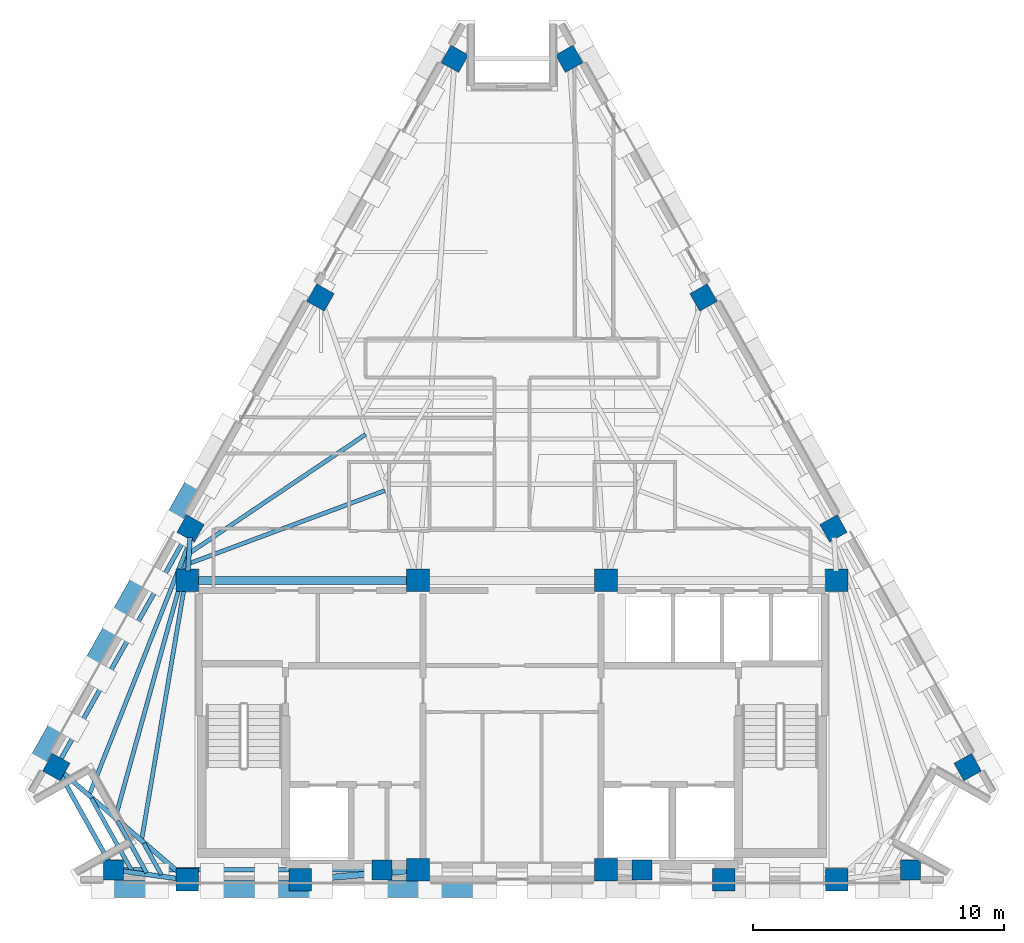
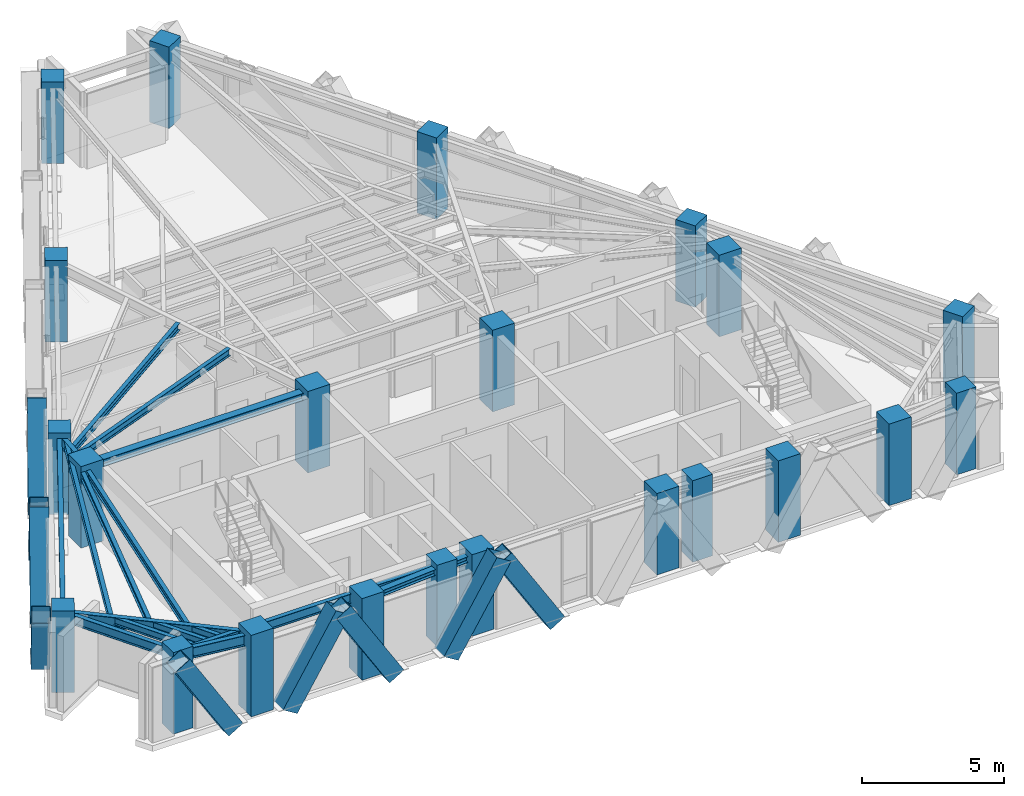
# One storey, part 1 of 9: 22 columns, 16 beams, 9 members.
"""IFC4 building model written with IfcOpenShell, lengths in metres."""

from ifc_helpers import new_model, si_unit, direction, frame, origin, origin_2d, place, context, subcontext, project, spatial, rectangle, hollow_rectangle, i_section, extrude, material, material_profile, profile_set, type_object, element, save


model = new_model("IFC4")

# Units and contexts
model_context = context("Model", 3, precision=1e-05, world=origin(), true_north=direction((0.0, 1.0)))
body_context = subcontext(model_context, "Body", "Model", "MODEL_VIEW")
ifc_project = project(units=[si_unit("LENGTHUNIT", "METRE"), si_unit("AREAUNIT", "SQUARE_METRE"), si_unit("VOLUMEUNIT", "CUBIC_METRE"), si_unit("PLANEANGLEUNIT", "RADIAN"), si_unit("MASSUNIT", "GRAM", prefix="KILO")], contexts=[model_context])

# Site, building, storey
site_placement = place(None, origin())
site = spatial("IfcSite", under=ifc_project, at=site_placement, CompositionType="ELEMENT")
building_placement = place(site_placement, origin())
building = spatial("IfcBuilding", under=site, at=building_placement, Name="Quenlor Broadcast Tower", CompositionType="ELEMENT")
storey_placement = place(building_placement, frame((0.0, 0.0, 256.89990234375)))
storey = spatial("IfcBuildingStorey", under=building, at=storey_placement, Name="L71", CompositionType="ELEMENT", Elevation=256.89990234375)

# Columns
ifc_material_1 = material(Name="Concrete C50/60", Category="concrete")
ifc_material_profile_1 = material_profile(ifc_material_1, rectangle(XDim=0.89990234375, YDim=0.89990234375, at=origin_2d()))
ifc_profile_set_1 = profile_set([ifc_material_profile_1], Name="Concrete C50/60 RC900x900")
column_type_1 = type_object("IfcColumnType", Name="Core Corner Column Upper Concrete C50/60 900", PredefinedType="COLUMN", material=ifc_profile_set_1)
for number, where, z_axis, x_axis, name in (
    (1, (-12.949951171875, -16.75, 0.0), (0.0, 0.0, 1.0), (1.0, 0.0, 0.0), "L71 Core Column CC1"),
    (2, (-8.449951171875, -16.75, 0.0), (0.0, 0.0, 1.0), (1.0, 0.0, 0.0), "L71 Core Column CC2"),
    (3, (-3.75, -16.35009765625, 0.0), (0.0, 0.0, 1.0), (1.0, 0.0, 0.0), "L71 Core Column CC3"),
    (4, (3.75, -16.35009765625, 0.0), (0.0, 0.0, 1.0), (1.0, 0.0, 0.0), "L71 Core Column CC4"),
    (5, (8.449951171875, -16.75, 0.0), (0.0, 0.0, 1.0), (1.0, 0.0, 0.0), "L71 Core Column CC5"),
    (6, (12.949951171875, -16.75, 0.0), (0.0, 0.0, 1.0), (1.0, 0.0, 0.0), "L71 Core Column CC6"),
    (7, (-12.949951171875, -4.800048828125, 0.0), (0.0, 0.0, 1.0), (1.0, 0.0, 0.0), "L71 Core Column CC7"),
    (8, (-3.75, -4.800048828125, 0.0), (0.0, 0.0, 1.0), (1.0, 0.0, 0.0), "L71 Core Column CC8"),
    (9, (3.75, -4.800048828125, 0.0), (0.0, 0.0, 1.0), (1.0, 0.0, 0.0), "L71 Core Column CC9"),
    (10, (12.949951171875, -4.800048828125, 0.0), (0.0, 0.0, 1.0), (1.0, 0.0, 0.0), "L71 Core Column CC10"),
):
    element("IfcColumn", number, at=place(storey_placement, frame(where, z_axis=z_axis, x_axis=x_axis)), inside=storey, type_object=column_type_1, Name=name, PredefinedType="COLUMN", context=body_context, shape_type="SweptSolid", body=[
        extrude(rectangle(XDim=0.89990234375, YDim=0.89990234375, at=origin_2d()), origin(), (0.0, 0.0, 1.0), 3.5),
    ])
ifc_material_2 = material(Name="Concrete C50/60", Category="concrete")
ifc_material_profile_2 = material_profile(ifc_material_2, rectangle(XDim=0.800048828125, YDim=0.800048828125, at=origin_2d()))
ifc_profile_set_2 = profile_set([ifc_material_profile_2], Name="Concrete C50/60 RC800x800")
column_type_2 = type_object("IfcColumnType", Name="Tower Perimeter Column Z5 Concrete C50/60 800", PredefinedType="COLUMN", material=ifc_profile_set_2)
for number, where, z_axis, x_axis, name in (
    (11, (-15.897705078125, -16.35009765625, 0.0), (0.0, 0.0, 1.0), (0.0, 1.0, 0.0), "L71 Perimeter Column S1"),
    (12, (-5.18408203125, -16.35009765625, 0.0), (0.0, 0.0, 1.0), (0.0, 1.0, 0.0), "L71 Perimeter Column S2"),
    (13, (5.18408203125, -16.35009765625, 0.0), (0.0, 0.0, 1.0), (0.0, 1.0, 0.0), "L71 Perimeter Column S3"),
    (14, (15.897705078125, -16.35009765625, 0.0), (0.0, 0.0, 1.0), (0.0, 1.0, 0.0), "L71 Perimeter Column S4"),
    (15, (18.182373046875, -12.25, 0.0), (0.0, 0.0, 1.0), (0.871575139605, 0.490261946333, 0.0), "L71 Perimeter Column NE1"),
    (16, (12.825439453125, -2.726806640625, 0.0), (0.0, 0.0, 1.0), (0.871575139605, 0.490261946333, 0.0), "L71 Perimeter Column NE2"),
    (17, (7.6416015625, 6.4892578125, 0.0), (0.0, 0.0, 1.0), (0.871575139605, 0.490261946333, 0.0), "L71 Perimeter Column NE3"),
    (18, (2.28466796875, 16.012451171875, 0.0), (0.0, 0.0, 1.0), (0.871575139605, 0.490261946333, 0.0), "L71 Perimeter Column NE4"),
    (19, (-2.28466796875, 16.012451171875, 0.0), (0.0, 0.0, 1.0), (-0.871575139605, 0.490261946333, 0.0), "L71 Perimeter Column NW1"),
    (20, (-7.6416015625, 6.4892578125, 0.0), (0.0, 0.0, 1.0), (-0.871575139605, 0.490261946333, 0.0), "L71 Perimeter Column NW2"),
    (21, (-12.825439453125, -2.726806640625, 0.0), (0.0, 0.0, 1.0), (-0.871575139605, 0.490261946333, 0.0), "L71 Perimeter Column NW3"),
    (22, (-18.182373046875, -12.25, 0.0), (0.0, 0.0, 1.0), (-0.871575139605, 0.490261946333, 0.0), "L71 Perimeter Column NW4"),
):
    element("IfcColumn", number, at=place(storey_placement, frame(where, z_axis=z_axis, x_axis=x_axis)), inside=storey, type_object=column_type_2, Name=name, PredefinedType="COLUMN", context=body_context, shape_type="SweptSolid", body=[
        extrude(rectangle(XDim=0.800048828125, YDim=0.800048828125, at=origin_2d()), origin(), (0.0, 0.0, 1.0), 3.5),
    ])

# Beams
ifc_material_3 = material(Name="Steel S355", Category="steel")
ifc_material_profile_3 = material_profile(ifc_material_3, i_section(OverallWidth=0.25390625, OverallDepth=0.25390625, WebThickness=0.008544921875, FlangeThickness=0.01416015625, FilletRadius=0.013916015625, at=origin_2d()))
ifc_profile_set_3 = profile_set([ifc_material_profile_3], Name="Steel S355 250UC72.9")
beam_type_1 = type_object("IfcBeamType", Name="Core Opening Lintel Beam Steel S355 250UC72.9", PredefinedType="LINTEL", material=ifc_profile_set_3)
beam_1_placement = place(storey_placement, frame((-8.09130859375, -16.719482421875, 3.123291015625), z_axis=(0.996399763903, 0.084779186679, 0.0), x_axis=(-0.084779186679, 0.996399763903, 0.0)))
element("IfcBeam", 23, at=beam_1_placement, inside=storey, type_object=beam_type_1, Name="L71 Core Opening Lintel Beam 4", PredefinedType="LINTEL", context=body_context, shape_type="SweptSolid", body=[
    extrude(i_section(OverallWidth=0.25390625, OverallDepth=0.25390625, WebThickness=0.008544921875, FlangeThickness=0.01416015625, FilletRadius=0.013916015625, at=origin_2d()), origin(), (0.0, 0.0, 1.0), 3.9970703125),
])
ifc_material_4 = material(Name="Steel S355", Category="steel")
ifc_material_profile_4 = material_profile(ifc_material_4, i_section(OverallWidth=0.306884765625, OverallDepth=0.314697265625, WebThickness=0.011962890625, FlangeThickness=0.018798828125, FilletRadius=0.0166015625, at=origin_2d()))
ifc_profile_set_4 = profile_set([ifc_material_profile_4], Name="Steel S355 310UC118")
beam_type_2 = type_object("IfcBeamType", Name="Core Tie Beam Steel S355 310UC118", PredefinedType="BEAM", material=ifc_profile_set_4)
beam_2_placement = place(storey_placement, frame((-12.590087890625, -4.800048828125, 3.0927734375), z_axis=(1.0, 0.0, 0.0), x_axis=(0.0, 1.0, 0.0)))
element("IfcBeam", 24, at=beam_2_placement, inside=storey, type_object=beam_type_2, Name="L71 Core Tie Beam 1", PredefinedType="BEAM", context=body_context, shape_type="SweptSolid", body=[
    extrude(i_section(OverallWidth=0.306884765625, OverallDepth=0.314697265625, WebThickness=0.011962890625, FlangeThickness=0.018798828125, FilletRadius=0.0166015625, at=origin_2d()), origin(), (0.0, 0.0, 1.0), 8.47998046875),
])

# Members
ifc_material_5 = material(Name="Steel S355", Category="steel")
ifc_material_profile_5 = material_profile(ifc_material_5, hollow_rectangle(XDim=0.679931640625, YDim=0.679931640625, WallThickness=0.02001953125, at=origin_2d()))
ifc_profile_set_5 = profile_set([ifc_material_profile_5], Name="Steel S355 RHS680x680x20")
member_type = type_object("IfcMemberType", Name="Perimeter Diagonal Lattice Brace Z5-Crown Steel S355 RHS680x20", PredefinedType="BRACE", material=ifc_profile_set_5)
for number, where, z_axis, x_axis, name in (
    (25, (-1.101806640625, -17.1201171875, -0.119873046875), (-0.523616565236, 0.0, 0.85195404372), (0.0, -1.0, 0.0), "L71 Perimeter Diamond Lattice S-C3S"),
    (26, (-7.6337890625, -17.1201171875, -0.119873046875), (-0.523616565236, 0.0, 0.85195404372), (0.0, -1.0, 0.0), "L71 Perimeter Diamond Lattice S-C4S"),
):
    element("IfcMember", number, at=place(storey_placement, frame(where, z_axis=z_axis, x_axis=x_axis)), inside=storey, type_object=member_type, Name=name, PredefinedType="BRACE", context=body_context, shape_type="SweptSolid", body=[
        extrude(hollow_rectangle(XDim=0.679931640625, YDim=0.679931640625, WallThickness=0.02001953125, at=origin_2d()), origin(), (0.0, 0.0, 1.0), 4.108154296875),
    ])
member_1_placement = place(storey_placement, frame((-5.430419921875, -17.1201171875, -0.119873046875), z_axis=(0.5236596973, 0.0, 0.851927532965), x_axis=(0.0, 1.0, 0.0)))
element("IfcMember", 27, at=member_1_placement, inside=storey, type_object=member_type, Name="L71 Perimeter Diamond Lattice S-C4B", PredefinedType="BRACE", context=body_context, shape_type="SweptSolid", body=[
    extrude(hollow_rectangle(XDim=0.679931640625, YDim=0.679931640625, WallThickness=0.02001953125, at=origin_2d()), origin(), (0.0, 0.0, 1.0), 4.1083984375),
])
member_2_placement = place(storey_placement, frame((-14.165771484375, -17.1201171875, -0.119873046875), z_axis=(-0.523616565236, 0.0, 0.85195404372), x_axis=(0.0, -1.0, 0.0)))
element("IfcMember", 28, at=member_2_placement, inside=storey, type_object=member_type, Name="L71 Perimeter Diamond Lattice S-C5S", PredefinedType="BRACE", context=body_context, shape_type="SweptSolid", body=[
    extrude(hollow_rectangle(XDim=0.679931640625, YDim=0.679931640625, WallThickness=0.02001953125, at=origin_2d()), origin(), (0.0, 0.0, 1.0), 4.108154296875),
])
member_3_placement = place(storey_placement, frame((-11.96240234375, -17.1201171875, -0.119873046875), z_axis=(0.5236596973, 0.0, 0.851927532965), x_axis=(0.0, 1.0, 0.0)))
element("IfcMember", 29, at=member_3_placement, inside=storey, type_object=member_type, Name="L71 Perimeter Diamond Lattice S-C5B", PredefinedType="BRACE", context=body_context, shape_type="SweptSolid", body=[
    extrude(hollow_rectangle(XDim=0.679931640625, YDim=0.679931640625, WallThickness=0.02001953125, at=origin_2d()), origin(), (0.0, 0.0, 1.0), 4.1083984375),
])
for number, where, z_axis, x_axis, name in (
    (30, (-16.892578125, -8.38623046875, -0.119873046875), (0.260618804175, 0.463276364439, 0.847025884529), (-0.8715547569, 0.490298180422, 0.0), "L71 Perimeter Diamond Lattice NW-C1S"),
    (31, (-17.99560546875, -10.34716796875, -0.119873046875), (-0.260563732169, -0.463283497491, 0.847038926161), (0.871602253711, -0.49021374045, 0.0), "L71 Perimeter Diamond Lattice NW-C1B"),
    (32, (-13.622802734375, -2.573486328125, -0.119873046875), (0.260618804175, 0.463276364439, 0.847025884529), (-0.8715547569, 0.490298180422, 0.0), "L71 Perimeter Diamond Lattice NW-C2S"),
    (33, (-14.725830078125, -4.534423828125, -0.119873046875), (-0.260563732169, -0.463283497491, 0.847038926161), (0.871602253711, -0.49021374045, 0.0), "L71 Perimeter Diamond Lattice NW-C2B"),
):
    element("IfcMember", number, at=place(storey_placement, frame(where, z_axis=z_axis, x_axis=x_axis)), inside=storey, type_object=member_type, Name=name, PredefinedType="BRACE", context=body_context, shape_type="SweptSolid", body=[
        extrude(hollow_rectangle(XDim=0.679931640625, YDim=0.679931640625, WallThickness=0.02001953125, at=origin_2d()), origin(), (0.0, 0.0, 1.0), 4.132080078125),
    ])

# Beams
ifc_material_6 = material(Name="Steel S355", Category="steel")
ifc_material_profile_6 = material_profile(ifc_material_6, i_section(OverallWidth=0.177978515625, OverallDepth=0.406494140625, WebThickness=0.0078125, FlangeThickness=0.0126953125, FilletRadius=0.011474609375, at=origin_2d()))
ifc_profile_set_6 = profile_set([ifc_material_profile_6], Name="Steel S355 410UB59.7")
beam_type_3 = type_object("IfcBeamType", Name="Perimeter Spandrel Beam Z5 Steel S355 410UB59.7", PredefinedType="SPANDREL", material=ifc_profile_set_6)
beam_3_placement = place(storey_placement, frame((-15.53759765625, -16.35009765625, 3.046875), z_axis=(1.0, 0.0, 0.0), x_axis=(0.0, 1.0, 0.0)))
element("IfcBeam", 34, at=beam_3_placement, inside=storey, type_object=beam_type_3, Name="L71 Spandrel Beam S1-S2", PredefinedType="SPANDREL", context=body_context, shape_type="SweptSolid", body=[
    extrude(i_section(OverallWidth=0.177978515625, OverallDepth=0.406494140625, WebThickness=0.0078125, FlangeThickness=0.0126953125, FilletRadius=0.011474609375, at=origin_2d()), origin(), (0.0, 0.0, 1.0), 9.99365234375),
])
beam_4_placement = place(storey_placement, frame((-13.001953125, -3.04052734375, 3.046875), z_axis=(-0.490274867878, -0.871567871096, 0.0), x_axis=(0.871567871096, -0.490274867878, 0.0)))
element("IfcBeam", 35, at=beam_4_placement, inside=storey, type_object=beam_type_3, Name="L71 Spandrel Beam NW3-NW4", PredefinedType="SPANDREL", context=body_context, shape_type="SweptSolid", body=[
    extrude(i_section(OverallWidth=0.177978515625, OverallDepth=0.406494140625, WebThickness=0.0078125, FlangeThickness=0.0126953125, FilletRadius=0.011474609375, at=origin_2d()), origin(), (0.0, 0.0, 1.0), 10.206298828125),
])
beam_5_placement = place(storey_placement, frame((-18.007080078125, -12.564453125, 3.046875), z_axis=(0.486800618374, -0.873513112638, 0.0), x_axis=(0.873513112638, 0.486800618374, 0.0)))
element("IfcBeam", 36, at=beam_5_placement, inside=storey, type_object=beam_type_3, Name="L71 Spandrel Beam NW4-S1", PredefinedType="SPANDREL", context=body_context, shape_type="SweptSolid", body=[
    extrude(i_section(OverallWidth=0.177978515625, OverallDepth=0.406494140625, WebThickness=0.0078125, FlangeThickness=0.0126953125, FilletRadius=0.011474609375, at=origin_2d()), origin(), (0.0, 0.0, 1.0), 3.9736328125),
])
ifc_material_7 = material(Name="Steel S355", Category="steel")
ifc_material_profile_7 = material_profile(ifc_material_7, i_section(OverallWidth=0.166015625, OverallDepth=0.30712890625, WebThickness=0.006591796875, FlangeThickness=0.01171875, FilletRadius=0.011474609375, at=origin_2d()))
ifc_profile_set_7 = profile_set([ifc_material_profile_7], Name="Steel S355 310UB46.2")
beam_type_4 = type_object("IfcBeamType", Name="Tower Composite Joist Z4-Z5 Steel S355 310UB46.2", PredefinedType="JOIST", material=ifc_profile_set_7)
beam_6_placement = place(storey_placement, frame((-12.835205078125, -4.108642578125, 3.096435546875), z_axis=(0.937062080226, 0.349162795559, 0.0), x_axis=(-0.349162795559, 0.937062080226, 0.0)))
element("IfcBeam", 37, at=beam_6_placement, inside=storey, type_object=beam_type_4, Name="L71 Secondary Composite Joist 7", PredefinedType="JOIST", context=body_context, shape_type="SweptSolid", body=[
    extrude(i_section(OverallWidth=0.166015625, OverallDepth=0.30712890625, WebThickness=0.006591796875, FlangeThickness=0.01171875, FilletRadius=0.011474609375, at=origin_2d()), origin(), (0.0, 0.0, 1.0), 8.286376953125),
])
beam_7_placement = place(storey_placement, frame((-12.81884765625, -3.67724609375, 3.096435546875), z_axis=(0.829286301475, 0.558823970661, 0.0), x_axis=(-0.558823970661, 0.829286301475, 0.0)))
element("IfcBeam", 38, at=beam_7_placement, inside=storey, type_object=beam_type_4, Name="L71 Secondary Composite Joist 8", PredefinedType="JOIST", context=body_context, shape_type="SweptSolid", body=[
    extrude(i_section(OverallWidth=0.166015625, OverallDepth=0.30712890625, WebThickness=0.006591796875, FlangeThickness=0.01171875, FilletRadius=0.011474609375, at=origin_2d()), origin(), (0.0, 0.0, 1.0), 8.415771484375),
])
beam_8_placement = place(storey_placement, frame((-14.76806640625, -15.09619140625, 3.096435546875), z_axis=(0.166553293246, 0.986032454085, 0.0), x_axis=(-0.986032454085, 0.166553293246, 0.0)))
element("IfcBeam", 39, at=beam_8_placement, inside=storey, type_object=beam_type_4, Name="L71 Secondary Composite Joist 13", PredefinedType="JOIST", context=body_context, shape_type="SweptSolid", body=[
    extrude(i_section(OverallWidth=0.166015625, OverallDepth=0.30712890625, WebThickness=0.006591796875, FlangeThickness=0.01171875, FilletRadius=0.011474609375, at=origin_2d()), origin(), (0.0, 0.0, 1.0), 11.097900390625),
])
beam_9_placement = place(storey_placement, frame((-15.806396484375, -14.197998046875, 3.096435546875), z_axis=(0.26744552871, 0.96357298072, 0.0), x_axis=(-0.96357298072, 0.26744552871, 0.0)))
element("IfcBeam", 40, at=beam_9_placement, inside=storey, type_object=beam_type_4, Name="L71 Secondary Composite Joist 14", PredefinedType="JOIST", context=body_context, shape_type="SweptSolid", body=[
    extrude(i_section(OverallWidth=0.166015625, OverallDepth=0.30712890625, WebThickness=0.006591796875, FlangeThickness=0.01171875, FilletRadius=0.011474609375, at=origin_2d()), origin(), (0.0, 0.0, 1.0), 10.856689453125),
])
beam_10_placement = place(storey_placement, frame((-16.8447265625, -13.300537109375, 3.096435546875), z_axis=(0.368680258049, 0.929556274426, 0.0), x_axis=(-0.929556274426, 0.368680258049, 0.0)))
element("IfcBeam", 41, at=beam_10_placement, inside=storey, type_object=beam_type_4, Name="L71 Secondary Composite Joist 15", PredefinedType="JOIST", context=body_context, shape_type="SweptSolid", body=[
    extrude(i_section(OverallWidth=0.166015625, OverallDepth=0.30712890625, WebThickness=0.006591796875, FlangeThickness=0.01171875, FilletRadius=0.011474609375, at=origin_2d()), origin(), (0.0, 0.0, 1.0), 10.737548828125),
])
beam_11_placement = place(storey_placement, frame((-13.9912109375, -16.544189453125, 3.096435546875), z_axis=(-0.486624304452, 0.873611347406, 0.0), x_axis=(-0.873611347406, -0.486624304452, 0.0)))
element("IfcBeam", 42, at=beam_11_placement, inside=storey, type_object=beam_type_4, Name="L71 Secondary Composite Joist 19", PredefinedType="JOIST", context=body_context, shape_type="SweptSolid", body=[
    extrude(i_section(OverallWidth=0.166015625, OverallDepth=0.30712890625, WebThickness=0.006591796875, FlangeThickness=0.01171875, FilletRadius=0.011474609375, at=origin_2d()), origin(), (0.0, 0.0, 1.0), 1.435791015625),
])
beam_12_placement = place(storey_placement, frame((-14.58056640625, -16.464111328125, 3.096435546875), z_axis=(-0.486820963037, 0.873501774439, 0.0), x_axis=(-0.873501774439, -0.486820963037, 0.0)))
element("IfcBeam", 43, at=beam_12_placement, inside=storey, type_object=beam_type_4, Name="L71 Secondary Composite Joist 20", PredefinedType="JOIST", context=body_context, shape_type="SweptSolid", body=[
    extrude(i_section(OverallWidth=0.166015625, OverallDepth=0.30712890625, WebThickness=0.006591796875, FlangeThickness=0.01171875, FilletRadius=0.011474609375, at=origin_2d()), origin(), (0.0, 0.0, 1.0), 2.37451171875),
])
beam_13_placement = place(storey_placement, frame((-15.170166015625, -16.384033203125, 3.096435546875), z_axis=(-0.486762404011, 0.873534408046, 0.0), x_axis=(-0.873534408046, -0.486762404011, 0.0)))
element("IfcBeam", 44, at=beam_13_placement, inside=storey, type_object=beam_type_4, Name="L71 Secondary Composite Joist 21", PredefinedType="JOIST", context=body_context, shape_type="SweptSolid", body=[
    extrude(i_section(OverallWidth=0.166015625, OverallDepth=0.30712890625, WebThickness=0.006591796875, FlangeThickness=0.01171875, FilletRadius=0.011474609375, at=origin_2d()), origin(), (0.0, 0.0, 1.0), 3.313232421875),
])
ifc_material_8 = material(Name="Steel S355", Category="steel")
ifc_material_profile_8 = material_profile(ifc_material_8, i_section(OverallWidth=0.19091796875, OverallDepth=0.46044921875, WebThickness=0.010009765625, FlangeThickness=0.01611328125, FilletRadius=0.011474609375, at=origin_2d()))
ifc_profile_set_8 = profile_set([ifc_material_profile_8], Name="Steel S355 460UB82.1")
beam_type_5 = type_object("IfcBeamType", Name="Tower Primary Floor Beam Z5 Steel S355 460UB82.1", PredefinedType="BEAM", material=ifc_profile_set_8)
beam_14_placement = place(storey_placement, frame((-15.541015625, -16.3984375, 3.02001953125), z_axis=(0.990917044125, -0.134474576267, 0.0), x_axis=(0.134474576267, 0.990917044125, 0.0)))
element("IfcBeam", 45, at=beam_14_placement, inside=storey, type_object=beam_type_5, Name="L71 Primary Radial Beam S1", PredefinedType="BEAM", context=body_context, shape_type="SweptSolid", body=[
    extrude(i_section(OverallWidth=0.19091796875, OverallDepth=0.46044921875, WebThickness=0.010009765625, FlangeThickness=0.01611328125, FilletRadius=0.011474609375, at=origin_2d()), origin(), (0.0, 0.0, 1.0), 2.23486328125),
])
beam_15_placement = place(storey_placement, frame((-12.84716796875, -3.086181640625, 3.02001953125), z_axis=(-0.059899569349, -0.998204408722, 0.0), x_axis=(0.998204408722, -0.059899569349, 0.0)))
element("IfcBeam", 46, at=beam_15_placement, inside=storey, type_object=beam_type_5, Name="L71 Primary Radial Beam NW3", PredefinedType="BEAM", context=body_context, shape_type="SweptSolid", body=[
    extrude(i_section(OverallWidth=0.19091796875, OverallDepth=0.46044921875, WebThickness=0.010009765625, FlangeThickness=0.01611328125, FilletRadius=0.011474609375, at=origin_2d()), origin(), (0.0, 0.0, 1.0), 1.3369140625),
])
beam_16_placement = place(storey_placement, frame((-17.909423828125, -12.484619140625, 3.02001953125), z_axis=(0.75817030855, -0.652056579779, 0.0), x_axis=(0.652056579779, 0.75817030855, 0.0)))
element("IfcBeam", 47, at=beam_16_placement, inside=storey, type_object=beam_type_5, Name="L71 Primary Radial Beam NW4", PredefinedType="BEAM", context=body_context, shape_type="SweptSolid", body=[
    extrude(i_section(OverallWidth=0.19091796875, OverallDepth=0.46044921875, WebThickness=0.010009765625, FlangeThickness=0.01611328125, FilletRadius=0.011474609375, at=origin_2d()), origin(), (0.0, 0.0, 1.0), 6.161376953125),
])

save(model, "model.ifc")
